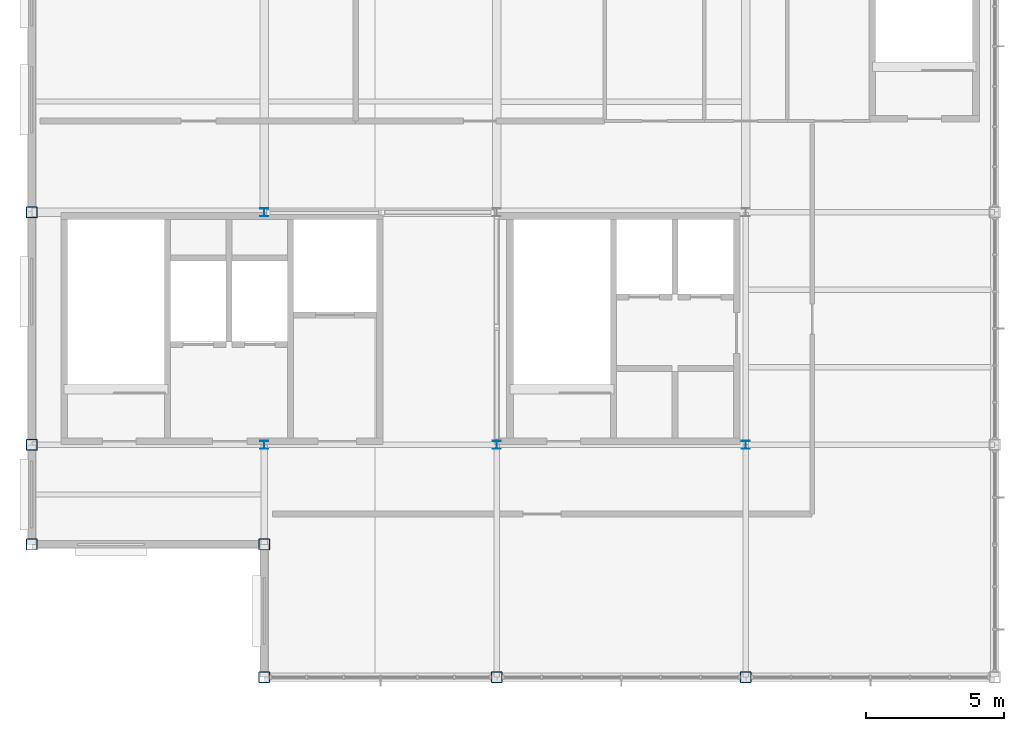
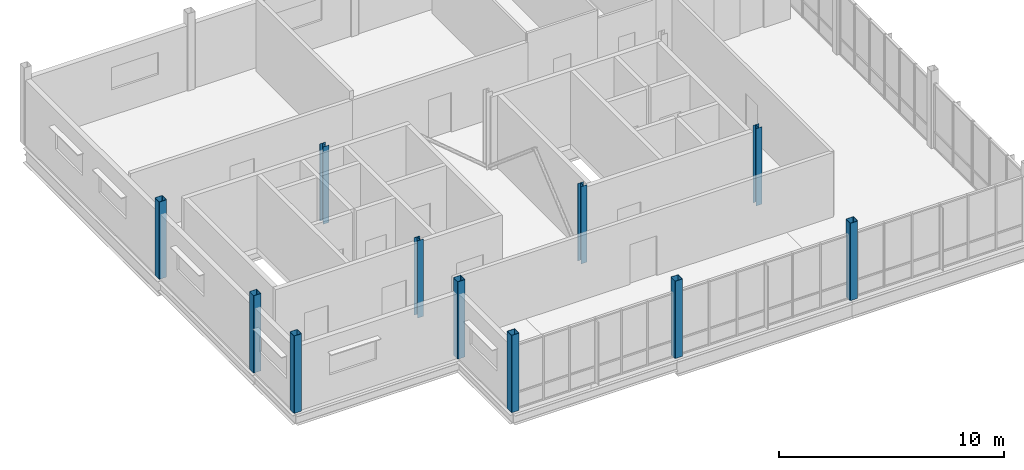
# One storey, part 1 of 15: 11 columns.
"""IFC4 building model written with IfcOpenShell, lengths in metres."""

from ifc_helpers import new_model, si_unit, direction, frame, origin, origin_2d, place, context, subcontext, project, spatial, hollow_rectangle, i_section, extrude, material, material_profile, profile_set, type_object, element, save


model = new_model("IFC4")

# Units and contexts
model_context = context("Model", 3, precision=1e-05, world=origin(), true_north=direction((0.0, 1.0)))
body_context = subcontext(model_context, "Body", "Model", "MODEL_VIEW")
ifc_project = project(units=[si_unit("LENGTHUNIT", "METRE"), si_unit("AREAUNIT", "SQUARE_METRE"), si_unit("VOLUMEUNIT", "CUBIC_METRE"), si_unit("PLANEANGLEUNIT", "RADIAN"), si_unit("MASSUNIT", "GRAM", prefix="KILO")], contexts=[model_context])

# Site, building, storey
site_placement = place(None, origin())
site = spatial("IfcSite", under=ifc_project, at=site_placement, CompositionType="ELEMENT")
building_placement = place(site_placement, origin())
building = spatial("IfcBuilding", under=site, at=building_placement, Name="Yukiwa Park Conservatory and Herbarium", CompositionType="ELEMENT")
storey_placement = place(building_placement, frame((0.0, 0.0, 61.199951171875)))
storey = spatial("IfcBuildingStorey", under=building, at=storey_placement, Name="L16", CompositionType="ELEMENT", Elevation=61.199951171875)

# Columns
ifc_material_1 = material(Name="Steel Q355D", Category="steel")
ifc_material_profile_1 = material_profile(ifc_material_1, hollow_rectangle(XDim=0.39990234375, YDim=0.39990234375, WallThickness=0.01611328125, InnerFilletRadius=0.01611328125, OuterFilletRadius=0.031982421875, at=origin_2d()), Name="BOX 400x400x16")
ifc_profile_set_1 = profile_set([ifc_material_profile_1], Name="Steel Q355D")
column_type_1 = type_object("IfcColumnType", Name="COL-TW-BOX400-EXT", PredefinedType="COLUMN", material=ifc_profile_set_1)
for number, where, z_axis, x_axis, name in (
    (1, (133.199951171875, 91.199951171875, 0.0), (0.0, 0.0, 1.0), (1.0, 0.0, 0.0), "L16 column V5-X1332-Y912"),
    (2, (133.199951171875, 94.800048828125, 0.0), (0.0, 0.0, 1.0), (1.0, 0.0, 0.0), "L16 column V5-X1332-Y948"),
    (3, (133.199951171875, 103.199951171875, 0.0), (0.0, 0.0, 1.0), (1.0, 0.0, 0.0), "L16 column V5-X1332-Y1032"),
    (4, (141.60009765625, 86.39990234375, 0.0), (0.0, 0.0, 1.0), (1.0, 0.0, 0.0), "L16 column V5-X1416-Y864"),
    (5, (141.60009765625, 91.199951171875, 0.0), (0.0, 0.0, 1.0), (1.0, 0.0, 0.0), "L16 column V5-X1416-Y912"),
    (6, (150.0, 86.39990234375, 0.0), (0.0, 0.0, 1.0), (1.0, 0.0, 0.0), "L16 column V5-X1500-Y864"),
    (7, (159.0, 86.39990234375, 0.0), (0.0, 0.0, 1.0), (1.0, 0.0, 0.0), "L16 column V5-X1590-Y864"),
):
    element("IfcColumn", number, at=place(storey_placement, frame(where, z_axis=z_axis, x_axis=x_axis)), inside=storey, type_object=column_type_1, Name=name, PredefinedType="COLUMN", context=body_context, shape_type="SweptSolid", body=[
        extrude(hollow_rectangle(XDim=0.39990234375, YDim=0.39990234375, WallThickness=0.01611328125, InnerFilletRadius=0.01611328125, OuterFilletRadius=0.031982421875, at=origin_2d()), origin(), (0.0, 0.0, 1.0), 4.199951171875),
    ])
ifc_material_2 = material(Name="Steel Q355D", Category="steel")
ifc_material_profile_2 = material_profile(ifc_material_2, i_section(OverallWidth=0.302001953125, OverallDepth=0.2939453125, WebThickness=0.011962890625, FlangeThickness=0.011962890625, FilletRadius=0.01806640625, at=origin_2d()), Name="HW 294x302x12x12")
ifc_profile_set_2 = profile_set([ifc_material_profile_2], Name="Steel Q355D")
column_type_2 = type_object("IfcColumnType", Name="COL-TW-HW294", PredefinedType="COLUMN", material=ifc_profile_set_2)
for number, where, z_axis, x_axis, name in (
    (8, (141.60009765625, 94.800048828125, 0.0), (0.0, 0.0, 1.0), (1.0, 0.0, 0.0), "L16 column V5-X1416-Y948"),
    (9, (141.60009765625, 103.199951171875, 0.0), (0.0, 0.0, 1.0), (1.0, 0.0, 0.0), "L16 column V5-X1416-Y1032"),
    (10, (150.0, 94.800048828125, 0.0), (0.0, 0.0, 1.0), (1.0, 0.0, 0.0), "L16 column V5-X1500-Y948"),
    (11, (159.0, 94.800048828125, 0.0), (0.0, 0.0, 1.0), (1.0, 0.0, 0.0), "L16 column V5-X1590-Y948"),
):
    element("IfcColumn", number, at=place(storey_placement, frame(where, z_axis=z_axis, x_axis=x_axis)), inside=storey, type_object=column_type_2, Name=name, PredefinedType="COLUMN", context=body_context, shape_type="SweptSolid", body=[
        extrude(i_section(OverallWidth=0.302001953125, OverallDepth=0.2939453125, WebThickness=0.011962890625, FlangeThickness=0.011962890625, FilletRadius=0.01806640625, at=origin_2d()), origin(), (0.0, 0.0, 1.0), 4.199951171875),
    ])

save(model, "model.ifc")
